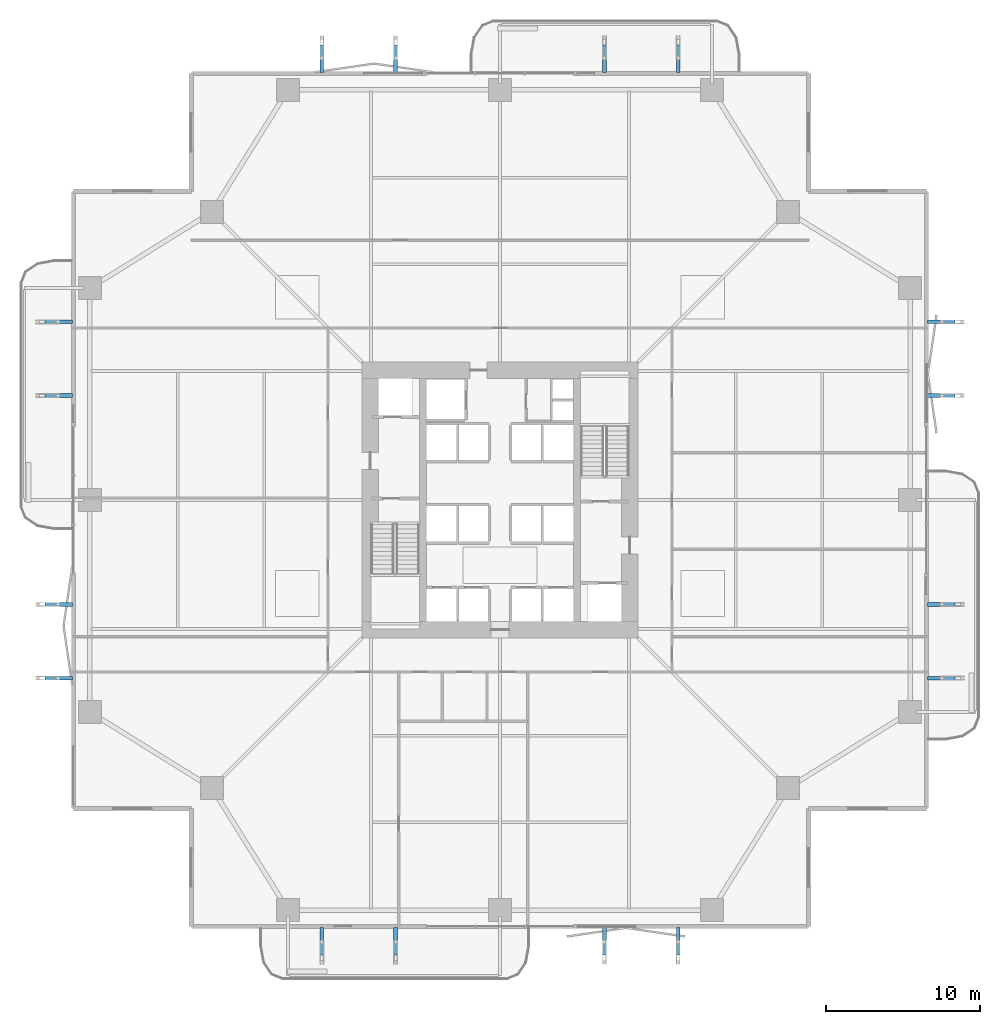
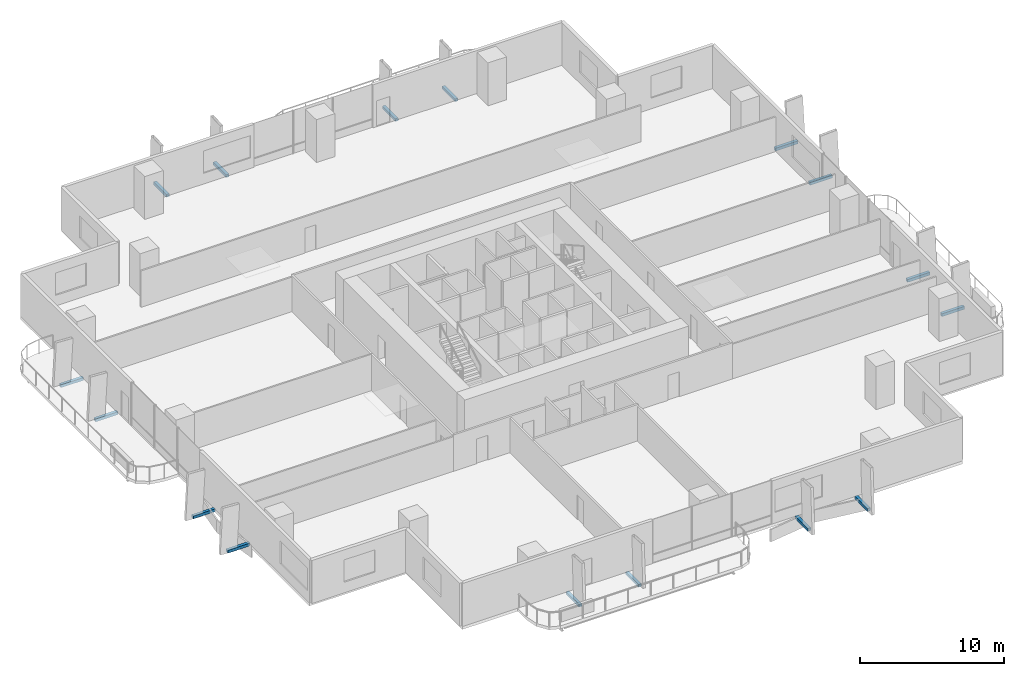
# One storey, part 20 of 23: 16 discrete accessories.
"""IFC4 building model written with IfcOpenShell, lengths in metres."""

from ifc_helpers import new_model, si_unit, direction, frame, origin, origin_2d, place, context, subcontext, project, spatial, rectangle, extrude, material, layer, layer_set, type_object, element, save


model = new_model("IFC4")

# Units and contexts
model_context = context("Model", 3, precision=1e-05, world=origin(), true_north=direction((0.0, 1.0)))
body_context = subcontext(model_context, "Body", "Model", "MODEL_VIEW")
ifc_project = project(units=[si_unit("LENGTHUNIT", "METRE"), si_unit("AREAUNIT", "SQUARE_METRE"), si_unit("VOLUMEUNIT", "CUBIC_METRE"), si_unit("PLANEANGLEUNIT", "RADIAN"), si_unit("MASSUNIT", "GRAM", prefix="KILO")], contexts=[model_context])

# Site, building, storey
site_placement = place(None, origin())
site = spatial("IfcSite", under=ifc_project, at=site_placement, CompositionType="ELEMENT")
building_placement = place(site_placement, origin())
building = spatial("IfcBuilding", under=site, at=building_placement, Name="Belovzor Exchange Tower", CompositionType="ELEMENT")
storey_placement = place(building_placement, frame((0.0, 0.0, 65.10009765625)))
storey = spatial("IfcBuildingStorey", under=building, at=storey_placement, Name="L15", CompositionType="ELEMENT", Elevation=65.10009765625)

# Discrete accessories
ifc_material = material(Name="Stainless Steel Grade 316", Category="steel")
ifc_layer = layer(ifc_material, 0.179931640625)
ifc_layer_set = layer_set([ifc_layer], Name="Stainless Steel Grade 316")
discrete_accessory_type = type_object("IfcDiscreteAccessoryType", Name="Stainless Steel Facade Outrigger Fixing Bracket", PredefinedType="BRACKET", material=ifc_layer_set)
for number, where, z_axis, x_axis, name in (
    (1, (17.199951171875, 0.0810546875, -0.2451171875), (0.0, 0.0, 1.0), (0.0, 1.0, 0.0), "BRK-FIN1 Sweeping Fin Outrigger Bracket L15 S1"),
    (2, (17.199951171875, 57.51904296875, -0.2451171875), (0.0, 0.0, 1.0), (0.0, 1.0, 0.0), "BRK-FIN1 Sweeping Fin Outrigger Bracket L15 N1"),
    (3, (0.0810546875, 17.199951171875, -0.2451171875), (0.0, 0.0, 1.0), (1.0, 0.0, 0.0), "BRK-FIN1 Sweeping Fin Outrigger Bracket L15 W1"),
    (4, (57.51904296875, 17.199951171875, -0.2451171875), (0.0, 0.0, 1.0), (1.0, 0.0, 0.0), "BRK-FIN1 Sweeping Fin Outrigger Bracket L15 E1"),
    (5, (22.0, 0.0810546875, -0.2451171875), (0.0, 0.0, 1.0), (0.0, 1.0, 0.0), "BRK-FIN1 Sweeping Fin Outrigger Bracket L15 S2"),
    (6, (22.0, 57.51904296875, -0.2451171875), (0.0, 0.0, 1.0), (0.0, 1.0, 0.0), "BRK-FIN1 Sweeping Fin Outrigger Bracket L15 N2"),
    (7, (0.0810546875, 22.0, -0.2451171875), (0.0, 0.0, 1.0), (1.0, 0.0, 0.0), "BRK-FIN1 Sweeping Fin Outrigger Bracket L15 W2"),
    (8, (57.51904296875, 22.0, -0.2451171875), (0.0, 0.0, 1.0), (1.0, 0.0, 0.0), "BRK-FIN1 Sweeping Fin Outrigger Bracket L15 E2"),
    (9, (35.60009765625, 0.0810546875, -0.2451171875), (0.0, 0.0, 1.0), (0.0, 1.0, 0.0), "BRK-FIN1 Sweeping Fin Outrigger Bracket L15 S3"),
    (10, (35.60009765625, 57.51904296875, -0.2451171875), (0.0, 0.0, 1.0), (0.0, 1.0, 0.0), "BRK-FIN1 Sweeping Fin Outrigger Bracket L15 N3"),
    (11, (0.0810546875, 35.60009765625, -0.2451171875), (0.0, 0.0, 1.0), (1.0, 0.0, 0.0), "BRK-FIN1 Sweeping Fin Outrigger Bracket L15 W3"),
    (12, (57.51904296875, 35.60009765625, -0.2451171875), (0.0, 0.0, 1.0), (1.0, 0.0, 0.0), "BRK-FIN1 Sweeping Fin Outrigger Bracket L15 E3"),
    (13, (40.39990234375, 0.0810546875, -0.2451171875), (0.0, 0.0, 1.0), (0.0, 1.0, 0.0), "BRK-FIN1 Sweeping Fin Outrigger Bracket L15 S4"),
    (14, (40.39990234375, 57.51904296875, -0.2451171875), (0.0, 0.0, 1.0), (0.0, 1.0, 0.0), "BRK-FIN1 Sweeping Fin Outrigger Bracket L15 N4"),
    (15, (0.0810546875, 40.39990234375, -0.2451171875), (0.0, 0.0, 1.0), (1.0, 0.0, 0.0), "BRK-FIN1 Sweeping Fin Outrigger Bracket L15 W4"),
    (16, (57.51904296875, 40.39990234375, -0.2451171875), (0.0, 0.0, 1.0), (1.0, 0.0, 0.0), "BRK-FIN1 Sweeping Fin Outrigger Bracket L15 E4"),
):
    element("IfcDiscreteAccessory", number, at=place(storey_placement, frame(where, z_axis=z_axis, x_axis=x_axis)), inside=storey, type_object=discrete_accessory_type, Name=name, PredefinedType="BRACKET", context=body_context, shape_type="SweptSolid", body=[
        extrude(rectangle(XDim=1.799072265625, YDim=0.239990234375, at=origin_2d()), origin(), (0.0, 0.0, 1.0), 0.239990234375),
    ])

save(model, "model.ifc")
